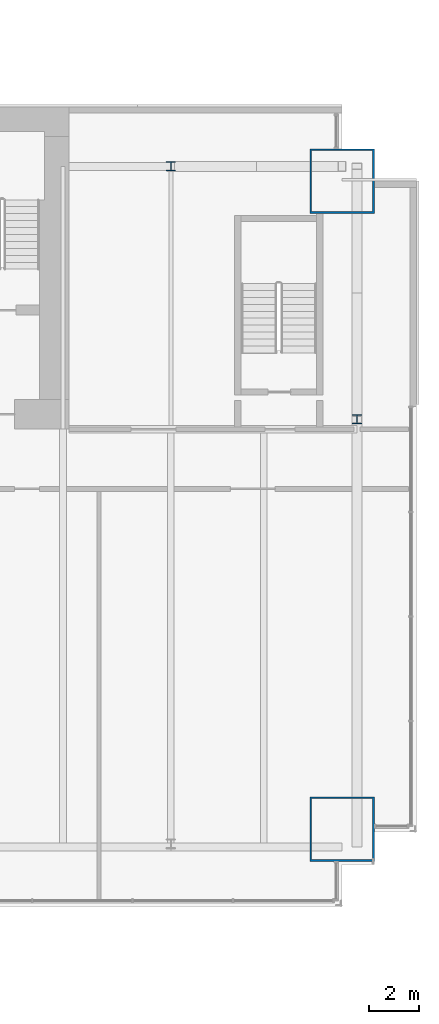
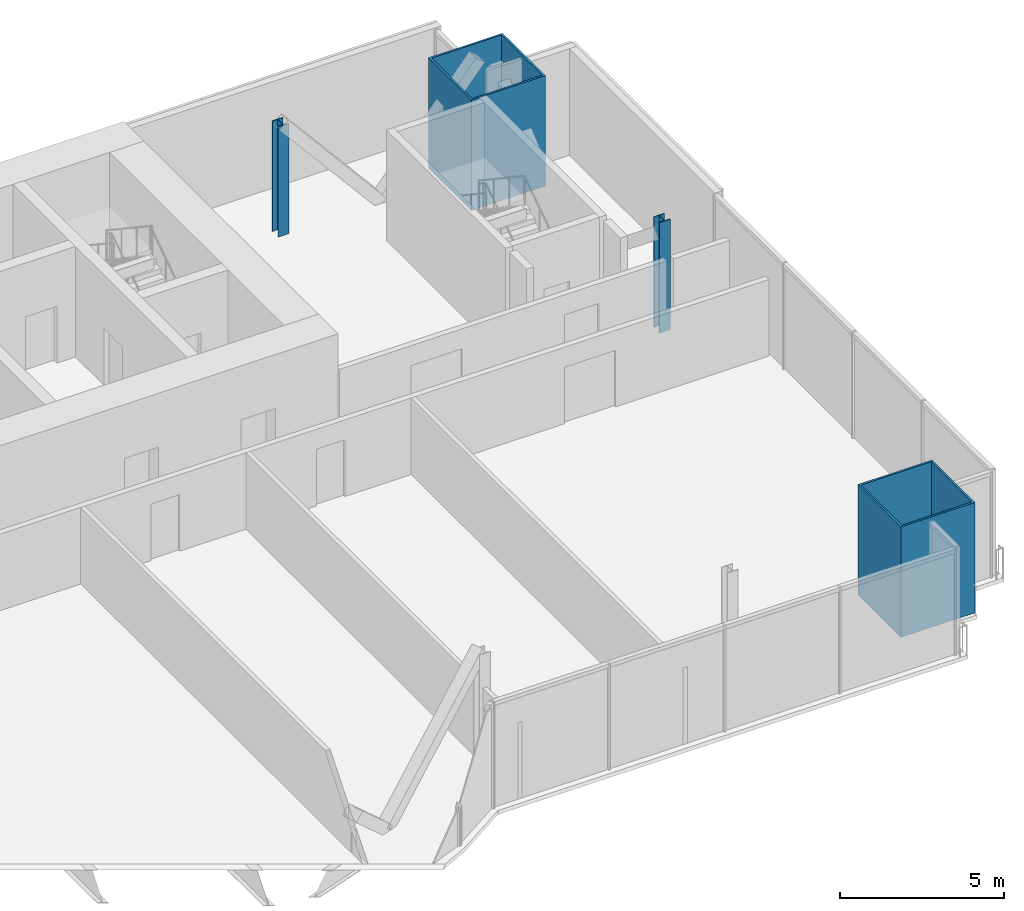
# One storey, part 4 of 20: 4 columns.
"""IFC4 building model written with IfcOpenShell, lengths in metres."""

from ifc_helpers import new_model, si_unit, direction, frame, origin, origin_2d, place, context, subcontext, project, spatial, hollow_rectangle, i_section, extrude, material, material_profile, profile_set, type_object, element, save


model = new_model("IFC4")

# Units and contexts
model_context = context("Model", 3, precision=1e-05, world=origin(), true_north=direction((0.0, 1.0)))
body_context = subcontext(model_context, "Body", "Model", "MODEL_VIEW")
ifc_project = project(units=[si_unit("LENGTHUNIT", "METRE"), si_unit("AREAUNIT", "SQUARE_METRE"), si_unit("VOLUMEUNIT", "CUBIC_METRE"), si_unit("PLANEANGLEUNIT", "RADIAN"), si_unit("MASSUNIT", "GRAM", prefix="KILO")], contexts=[model_context])

# Site, building, storey
site_placement = place(None, origin())
site = spatial("IfcSite", under=ifc_project, at=site_placement, CompositionType="ELEMENT")
building_placement = place(site_placement, origin())
building = spatial("IfcBuilding", under=site, at=building_placement, Name="Bicima Exchange Tower", CompositionType="ELEMENT")
storey_placement = place(building_placement, frame((0.0, 0.0, 207.300048828125)))
storey = spatial("IfcBuildingStorey", under=building, at=storey_placement, Name="L46", CompositionType="ELEMENT", Elevation=207.300048828125)

# Columns
ifc_material_1 = material(Name="Steel ASTM A572 Gr 50", Category="steel")
ifc_material_profile_1 = material_profile(ifc_material_1, hollow_rectangle(XDim=2.60009765625, YDim=2.60009765625, WallThickness=0.070068359375, at=origin_2d()))
ifc_profile_set_1 = profile_set([ifc_material_profile_1], Name="Steel ASTM A572 Gr 50")
column_type_1 = type_object("IfcColumnType", Name="Mega column BOX 2600x2600x70", PredefinedType="COLUMN", material=ifc_profile_set_1)
for number, where, z_axis, x_axis, name in (
    (1, (33.0, -29.117919921875, 0.0), (0.0, 0.0, 1.0), (1.0, 0.0, 0.0), "Mega column mega+33.0f"),
    (2, (33.0, -3.0, 0.0), (0.0, 0.0, 1.0), (1.0, 0.0, 0.0), "Mega column mega+33.0r"),
):
    element("IfcColumn", number, at=place(storey_placement, frame(where, z_axis=z_axis, x_axis=x_axis)), inside=storey, type_object=column_type_1, Name=name, PredefinedType="COLUMN", context=body_context, shape_type="SweptSolid", body=[
        extrude(hollow_rectangle(XDim=2.60009765625, YDim=2.60009765625, WallThickness=0.070068359375, at=origin_2d()), origin(), (0.0, 0.0, 1.0), 4.099853515625),
    ])
ifc_material_2 = material(Name="Steel ASTM A992 Gr 50", Category="steel")
ifc_material_profile_2 = material_profile(ifc_material_2, i_section(OverallWidth=0.373291015625, OverallDepth=0.373291015625, WebThickness=0.016357421875, FlangeThickness=0.026123046875, at=origin_2d()))
ifc_profile_set_2 = profile_set([ifc_material_profile_2], Name="Steel ASTM A992 Gr 50")
column_type_2 = type_object("IfcColumnType", Name="Perimeter column W14x132", PredefinedType="COLUMN", material=ifc_profile_set_2)
for number, where, z_axis, x_axis, name in (
    (3, (26.10009765625, -2.39990234375, 0.0), (0.0, 0.0, 1.0), (1.0, 0.0, 0.0), "Perimeter column grav+26.1r"),
    (4, (33.60009765625, -12.60009765625, 0.0), (0.0, 0.0, 1.0), (1.0, 0.0, 0.0), "End column end+33.6e"),
):
    element("IfcColumn", number, at=place(storey_placement, frame(where, z_axis=z_axis, x_axis=x_axis)), inside=storey, type_object=column_type_2, Name=name, PredefinedType="COLUMN", context=body_context, shape_type="SweptSolid", body=[
        extrude(i_section(OverallWidth=0.373291015625, OverallDepth=0.373291015625, WebThickness=0.016357421875, FlangeThickness=0.026123046875, at=origin_2d()), origin(), (0.0, 0.0, 1.0), 4.099853515625),
    ])

save(model, "model.ifc")
